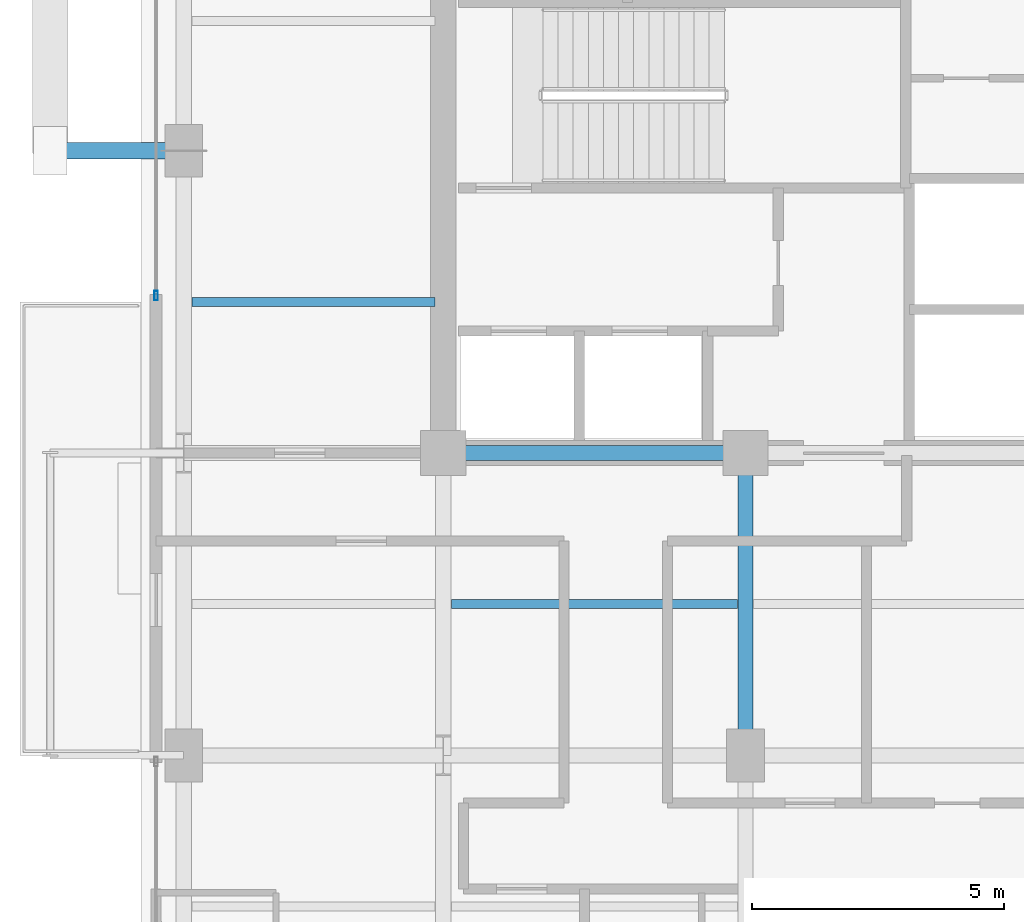
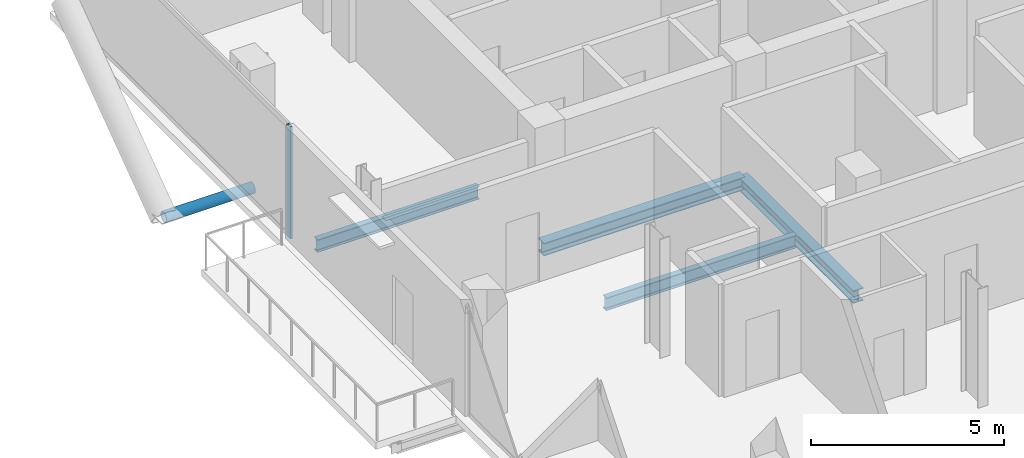
# One storey, part 7 of 22: 4 beams, 2 members, 1 element without a shape of its own.
"""IFC4 building model written with IfcOpenShell, lengths in metres."""

from ifc_helpers import new_model, si_unit, direction, frame, origin, origin_2d, place, context, subcontext, project, spatial, hollow_rectangle, hollow_circle, i_section, extrude, material, layer, layer_set, material_profile, profile_set, type_object, element, aggregate, save


model = new_model("IFC4")

# Units and contexts
model_context = context("Model", 3, precision=1e-05, world=origin(), true_north=direction((0.0, 1.0)))
body_context = subcontext(model_context, "Body", "Model", "MODEL_VIEW")
ifc_project = project(units=[si_unit("LENGTHUNIT", "METRE"), si_unit("AREAUNIT", "SQUARE_METRE"), si_unit("VOLUMEUNIT", "CUBIC_METRE"), si_unit("PLANEANGLEUNIT", "RADIAN"), si_unit("MASSUNIT", "GRAM", prefix="KILO"), si_unit("THERMODYNAMICTEMPERATUREUNIT", "KELVIN"), si_unit("POWERUNIT", "WATT")], contexts=[model_context])

# Site, building, storey
site_placement = place(None, origin())
site = spatial("IfcSite", under=ifc_project, at=site_placement, CompositionType="ELEMENT")
building_placement = place(site_placement, origin())
building = spatial("IfcBuilding", under=site, at=building_placement, Name="Svarakhadi Broadcast Tower", CompositionType="ELEMENT")
storey_placement = place(building_placement, frame((0.0, 0.0, 176.699951171875)))
storey = spatial("IfcBuildingStorey", under=building, at=storey_placement, Name="L43", CompositionType="ELEMENT", Elevation=176.699951171875)

# Beams
ifc_material_1 = material(Name="Steel S355J2 (IS 2062 E350C)", Category="steel")
ifc_material_profile_1 = material_profile(ifc_material_1, i_section(OverallWidth=0.179931640625, OverallDepth=0.39990234375, WebThickness=0.008544921875, FlangeThickness=0.013427734375, FilletRadius=0.02099609375, at=origin_2d()), Name="NPB 400x180x66")
ifc_profile_set_1 = profile_set([ifc_material_profile_1], Name="Steel S355J2 (IS 2062 E350C)")
beam_type_1 = type_object("IfcBeamType", Name="Beam_NPB400", PredefinedType="BEAM", material=ifc_profile_set_1)
beam_1_placement = place(storey_placement, frame((1.010009765625, 21.0, -0.409912109375), z_axis=(1.0, 0.0, 0.0), x_axis=(0.0, 1.0, 0.0)))
element("IfcBeam", 1, at=beam_1_placement, inside=storey, type_object=beam_type_1, Name="L43 Secondary Composite Beam SB003", PredefinedType="BEAM", context=body_context, shape_type="SweptSolid", body=[
    extrude(i_section(OverallWidth=0.179931640625, OverallDepth=0.39990234375, WebThickness=0.008544921875, FlangeThickness=0.013427734375, FilletRadius=0.02099609375, at=origin_2d()), origin(), (0.0, 0.0, 1.0), 4.830078125),
])
beam_2_placement = place(storey_placement, frame((6.159912109375, 15.0, -0.409912109375), z_axis=(1.0, 0.0, 0.0), x_axis=(0.0, 1.0, 0.0)))
element("IfcBeam", 2, at=beam_2_placement, inside=storey, type_object=beam_type_1, Name="L43 Secondary Composite Beam SB007", PredefinedType="BEAM", context=body_context, shape_type="SweptSolid", body=[
    extrude(i_section(OverallWidth=0.179931640625, OverallDepth=0.39990234375, WebThickness=0.008544921875, FlangeThickness=0.013427734375, FilletRadius=0.02099609375, at=origin_2d()), origin(), (0.0, 0.0, 1.0), 5.68017578125),
])

# Curtain wall, member
ifc_material_2 = material(Name="Anodised Bronze Aluminium AA 6063-T6", Category="aluminium")
ifc_layer = layer(ifc_material_2, 0.18994140625)
ifc_layer_set = layer_set([ifc_layer], Name="Anodised Bronze Aluminium AA 6063-T6")
curtain_wall_type = type_object("IfcCurtainWallType", Name="CW_Sys_04", PredefinedType="NOTDEFINED", material=ifc_layer_set)
curtain_wall_placement = place(storey_placement, origin())
curtain_wall = element("IfcCurtainWall", 3, at=curtain_wall_placement, inside=storey, type_object=curtain_wall_type, Name="L43 West Curtain Wall 03", PredefinedType="NOTDEFINED")
ifc_material_profile_2 = material_profile(ifc_material_2, hollow_rectangle(XDim=0.070068359375, YDim=0.18994140625, WallThickness=0.005615234375, at=origin_2d()), Name="ALU MULLION 190x70x6")
ifc_profile_set_2 = profile_set([ifc_material_profile_2], Name="Anodised Bronze Aluminium AA 6063-T6")
member_type_1 = type_object("IfcMemberType", Name="CW_Sys_04_Mul", PredefinedType="MULLION", material=ifc_profile_set_2)
member_1_placement = place(storey_placement, frame((0.300048828125, 21.125, 0.0), z_axis=(0.0, 0.0, 1.0), x_axis=(-1.0, 0.0, 0.0)))
member_1 = element("IfcMember", 4, at=member_1_placement, type_object=member_type_1, Name="CW-04 mullion 1", PredefinedType="MULLION", context=body_context, shape_type="SweptSolid", body=[
    extrude(hollow_rectangle(XDim=0.070068359375, YDim=0.18994140625, WallThickness=0.005615234375, at=origin_2d()), origin(), (0.0, 0.0, 1.0), 3.5400390625),
])
aggregate(curtain_wall, [member_1])

# Member
ifc_material_3 = material(Name="Steel S460ML (IS 2062 E450BR)", Category="steel")
ifc_material_profile_3 = material_profile(ifc_material_3, hollow_circle(Radius=0.161865234375, WallThickness=0.01611328125, at=origin_2d()), Name="CHS 323.9x16")
ifc_profile_set_3 = profile_set([ifc_material_profile_3], Name="Steel S460ML (IS 2062 E450BR)")
member_type_2 = type_object("IfcMemberType", Name="Exo_Radial_Strut_Z2", PredefinedType="STRUT", material=ifc_profile_set_3)
member_2_placement = place(storey_placement, frame((-1.800048828125, 24.0, -0.371826171875), z_axis=(1.0, 0.0, 0.0), x_axis=(0.0, 1.0, 0.0)))
element("IfcMember", 5, at=member_2_placement, inside=storey, type_object=member_type_2, Name="L43 Exoskeleton Radial Tie Strut W03", PredefinedType="STRUT", context=body_context, shape_type="SweptSolid", body=[
    extrude(hollow_circle(Radius=0.161865234375, WallThickness=0.01611328125, at=origin_2d()), origin(), (0.0, 0.0, 1.0), 2.650146484375),
])

# Beams
ifc_material_profile_4 = material_profile(ifc_material_1, i_section(OverallWidth=0.300048828125, OverallDepth=0.39990234375, WebThickness=0.013427734375, FlangeThickness=0.02392578125, FilletRadius=0.027099609375, at=origin_2d()), Name="WPB 400x300x155")
ifc_profile_set_4 = profile_set([ifc_material_profile_4], Name="Steel S355J2 (IS 2062 E350C)")
beam_type_2 = type_object("IfcBeamType", Name="Girder_WPB400", PredefinedType="USERDEFINED", material=ifc_profile_set_4)
for number, where, z_axis, x_axis, name in (
    (6, (6.0, 18.0, -0.409912109375), (1.0, 0.0, 0.0), (0.0, 1.0, 0.0), "L43 Primary E-W Girder G021"),
    (7, (12.0, 12.0, -0.409912109375), (0.0, 1.0, 0.0), (-1.0, 0.0, 0.0), "L43 Primary N-S Girder G044"),
):
    element("IfcBeam", number, at=place(storey_placement, frame(where, z_axis=z_axis, x_axis=x_axis)), inside=storey, type_object=beam_type_2, Name=name, ObjectType="GIRDER", PredefinedType="USERDEFINED", context=body_context, shape_type="SweptSolid", body=[
        extrude(i_section(OverallWidth=0.300048828125, OverallDepth=0.39990234375, WebThickness=0.013427734375, FlangeThickness=0.02392578125, FilletRadius=0.027099609375, at=origin_2d()), origin(), (0.0, 0.0, 1.0), 6.0),
    ])

save(model, "model.ifc")
